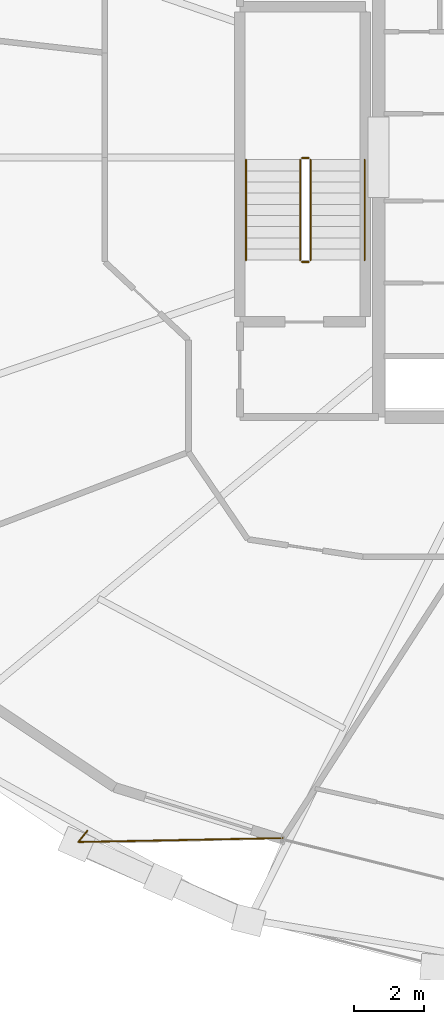
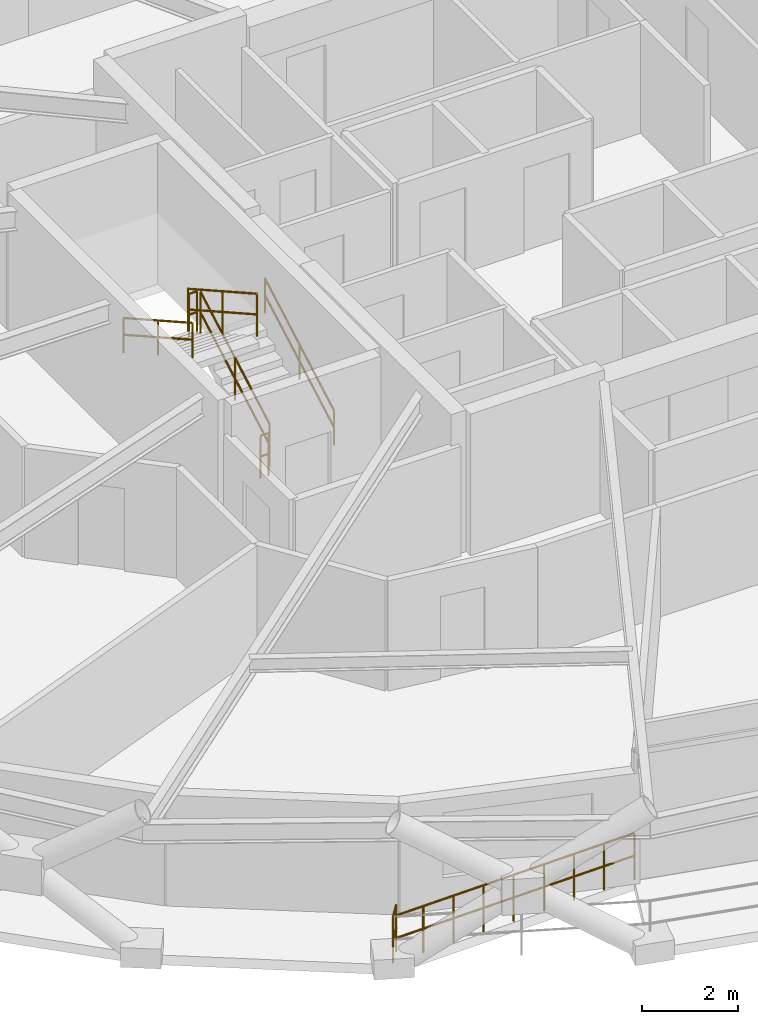
# One storey, part 18 of 20: 7 railings.
"""IFC4 building model written with IfcOpenShell, lengths in metres."""

from ifc_helpers import new_model, si_unit, direction, frame, origin, origin_2d, place, context, subcontext, project, spatial, circle, extrude, material, type_object, element, save


model = new_model("IFC4")

# Units and contexts
model_context = context("Model", 3, precision=1e-05, world=origin(), true_north=direction((0.0, 1.0)))
body_context = subcontext(model_context, "Body", "Model", "MODEL_VIEW")
ifc_project = project(units=[si_unit("LENGTHUNIT", "METRE"), si_unit("AREAUNIT", "SQUARE_METRE"), si_unit("VOLUMEUNIT", "CUBIC_METRE"), si_unit("PLANEANGLEUNIT", "RADIAN"), si_unit("MASSUNIT", "GRAM", prefix="KILO")], contexts=[model_context])

# Site, building, storey
site_placement = place(None, origin())
site = spatial("IfcSite", under=ifc_project, at=site_placement, CompositionType="ELEMENT")
building_placement = place(site_placement, origin())
building = spatial("IfcBuilding", under=site, at=building_placement, Name="Veldorina Hangang Commons", CompositionType="ELEMENT")
storey_placement = place(building_placement, frame((0.0, 0.0, 131.60009765625)))
storey = spatial("IfcBuildingStorey", under=building, at=storey_placement, Name="L33", CompositionType="ELEMENT", Elevation=131.60009765625)

# Railings
ifc_material_1 = material(Name="Glass Laminated Safety Balustrade", Category="glass")
railing_type_1 = type_object("IfcRailingType", Name="RL-BAL-LOGGIA", PredefinedType="BALUSTRADE", material=ifc_material_1)
railing_1_placement = place(storey_placement, frame((16.45556640625, 4.69970703125, 0.0)))
element("IfcRailing", 1, at=railing_1_placement, inside=storey, type_object=railing_type_1, Name="L33 sky-garden loggia end balustrade A", PredefinedType="BALUSTRADE", context=body_context, shape_type="SweptSolid", body=[
    extrude(circle(Radius=0.02392578125, at=origin_2d()), frame((0.0, 0.0, 1.17578125), z_axis=(-0.627172855925, -0.77888009911, 0.0), x_axis=(0.77888009911, -0.627172855925, 0.0)), (0.0, 0.0, 1.0), 0.419921875),
    extrude(circle(Radius=0.02392578125, at=origin_2d()), frame((0.0, 0.0, 0.60009765625), z_axis=(-0.627172855925, -0.77888009911, 0.0), x_axis=(0.77888009911, -0.627172855925, 0.0)), (0.0, 0.0, 1.0), 0.419921875),
    extrude(circle(Radius=0.02392578125, at=origin_2d()), frame((-0.263427734375, -0.3271484375, 1.17578125), z_axis=(0.999813660583, 0.019303992115, 0.0), x_axis=(-0.019303992115, 0.999813660583, 0.0)), (0.0, 0.0, 1.0), 5.8681640625),
    extrude(circle(Radius=0.02392578125, at=origin_2d()), frame((-0.263427734375, -0.3271484375, 0.60009765625), z_axis=(0.999813660583, 0.019303992115, 0.0), x_axis=(-0.019303992115, 0.999813660583, 0.0)), (0.0, 0.0, 1.0), 5.8681640625),
    extrude(circle(Radius=0.02099609375, at=origin_2d()), origin(), (0.0, 0.0, 1.0), 1.15185546875),
    extrude(circle(Radius=0.02099609375, at=origin_2d()), frame((-0.263427734375, -0.3271484375, 0.0)), (0.0, 0.0, 1.0), 1.15185546875),
    extrude(circle(Radius=0.02099609375, at=origin_2d()), frame((0.469970703125, -0.31298828125, 0.0)), (0.0, 0.0, 1.0), 1.15185546875),
    extrude(circle(Radius=0.02099609375, at=origin_2d()), frame((1.203369140625, -0.298828125, 0.0)), (0.0, 0.0, 1.0), 1.15185546875),
    extrude(circle(Radius=0.02099609375, at=origin_2d()), frame((1.936767578125, -0.28466796875, 0.0)), (0.0, 0.0, 1.0), 1.15185546875),
    extrude(circle(Radius=0.02099609375, at=origin_2d()), frame((2.670166015625, -0.2705078125, 0.0)), (0.0, 0.0, 1.0), 1.15185546875),
    extrude(circle(Radius=0.02099609375, at=origin_2d()), frame((3.403564453125, -0.25634765625, 0.0)), (0.0, 0.0, 1.0), 1.15185546875),
    extrude(circle(Radius=0.02099609375, at=origin_2d()), frame((4.136962890625, -0.2421875, 0.0)), (0.0, 0.0, 1.0), 1.15185546875),
    extrude(circle(Radius=0.02099609375, at=origin_2d()), frame((4.870361328125, -0.22802734375, 0.0)), (0.0, 0.0, 1.0), 1.15185546875),
    extrude(circle(Radius=0.02099609375, at=origin_2d()), frame((5.603759765625, -0.2138671875, 0.0)), (0.0, 0.0, 1.0), 1.15185546875),
])
ifc_material_2 = material(Name="Steel Painted Balustrade", Category="steel")
railing_type_2 = type_object("IfcRailingType", Name="RL-GRD-STAIR", PredefinedType="GUARDRAIL", material=ifc_material_2)
railing_2_placement = place(storey_placement, frame((22.85009765625, 21.050048828125, 0.179931640625)))
element("IfcRailing", 2, at=railing_2_placement, inside=storey, type_object=railing_type_2, Name="L33 ST-1 stair guard 1", PredefinedType="GUARDRAIL", context=body_context, shape_type="SweptSolid", body=[
    extrude(circle(Radius=0.02392578125, at=origin_2d()), frame((0.0, 0.0, 1.076171875), z_axis=(0.0, 0.871583430097, 0.490247207417), x_axis=(-1.0, 0.0, 0.0)), (0.0, 0.0, 1.0), 3.30419921875),
    extrude(circle(Radius=0.02392578125, at=origin_2d()), frame((0.0, 0.0, 0.550048828125), z_axis=(0.0, 0.871583430097, 0.490247207417), x_axis=(-1.0, 0.0, 0.0)), (0.0, 0.0, 1.0), 3.30419921875),
    extrude(circle(Radius=0.02099609375, at=origin_2d()), origin(), (0.0, 0.0, 1.0), 1.052001953125),
    extrude(circle(Radius=0.02099609375, at=origin_2d()), frame((0.0, 1.43994140625, 0.81005859375)), (0.0, 0.0, 1.0), 1.052001953125),
    extrude(circle(Radius=0.02099609375, at=origin_2d()), frame((0.0, 2.8798828125, 1.619873046875)), (0.0, 0.0, 1.0), 1.052001953125),
])
railing_3_placement = place(storey_placement, frame((22.800048828125, 23.97998046875, 1.7998046875)))
element("IfcRailing", 3, at=railing_3_placement, inside=storey, type_object=railing_type_2, Name="L33 ST-1 stair guard 2", PredefinedType="GUARDRAIL", context=body_context, shape_type="SweptSolid", body=[
    extrude(circle(Radius=0.02392578125, at=origin_2d()), frame((0.0, 0.0, 1.076171875), z_axis=(-1.0, 0.0, 0.0), x_axis=(0.0, -1.0, 0.0)), (0.0, 0.0, 1.0), 0.199951171875),
    extrude(circle(Radius=0.02392578125, at=origin_2d()), frame((0.0, 0.0, 0.550048828125), z_axis=(-1.0, 0.0, 0.0), x_axis=(0.0, -1.0, 0.0)), (0.0, 0.0, 1.0), 0.199951171875),
    extrude(circle(Radius=0.02099609375, at=origin_2d()), origin(), (0.0, 0.0, 1.0), 1.052001953125),
    extrude(circle(Radius=0.02099609375, at=origin_2d()), frame((-0.199951171875, 0.0, 0.0)), (0.0, 0.0, 1.0), 1.052001953125),
])
railing_4_placement = place(storey_placement, frame((22.550048828125, 23.929931640625, 1.97998046875)))
element("IfcRailing", 4, at=railing_4_placement, inside=storey, type_object=railing_type_2, Name="L33 ST-1 stair guard 3", PredefinedType="GUARDRAIL", context=body_context, shape_type="SweptSolid", body=[
    extrude(circle(Radius=0.02392578125, at=origin_2d()), frame((0.0, 0.0, 1.076171875), z_axis=(0.0, -0.871583430097, 0.490247207417), x_axis=(1.0, 0.0, 0.0)), (0.0, 0.0, 1.0), 3.30419921875),
    extrude(circle(Radius=0.02392578125, at=origin_2d()), frame((0.0, 0.0, 0.550048828125), z_axis=(0.0, -0.871583430097, 0.490247207417), x_axis=(1.0, 0.0, 0.0)), (0.0, 0.0, 1.0), 3.30419921875),
    extrude(circle(Radius=0.02099609375, at=origin_2d()), origin(), (0.0, 0.0, 1.0), 1.052001953125),
    extrude(circle(Radius=0.02099609375, at=origin_2d()), frame((0.0, -1.43994140625, 0.81005859375)), (0.0, 0.0, 1.0), 1.052001953125),
    extrude(circle(Radius=0.02099609375, at=origin_2d()), frame((0.0, -2.8798828125, 1.619873046875)), (0.0, 0.0, 1.0), 1.052001953125),
])
railing_5_placement = place(storey_placement, frame((22.800048828125, 21.0, 0.0)))
element("IfcRailing", 5, at=railing_5_placement, inside=storey, type_object=railing_type_2, Name="L33 ST-1 stair guard 4", PredefinedType="GUARDRAIL", context=body_context, shape_type="SweptSolid", body=[
    extrude(circle(Radius=0.02392578125, at=origin_2d()), frame((0.0, 0.0, 1.076171875), z_axis=(-1.0, 0.0, 0.0), x_axis=(0.0, -1.0, 0.0)), (0.0, 0.0, 1.0), 0.199951171875),
    extrude(circle(Radius=0.02392578125, at=origin_2d()), frame((0.0, 0.0, 0.550048828125), z_axis=(-1.0, 0.0, 0.0), x_axis=(0.0, -1.0, 0.0)), (0.0, 0.0, 1.0), 0.199951171875),
    extrude(circle(Radius=0.02099609375, at=origin_2d()), origin(), (0.0, 0.0, 1.0), 1.052001953125),
    extrude(circle(Radius=0.02099609375, at=origin_2d()), frame((-0.199951171875, 0.0, 0.0)), (0.0, 0.0, 1.0), 1.052001953125),
])
ifc_material_3 = material(Name="Stainless Steel Brushed 316", Category="steel")
railing_type_3 = type_object("IfcRailingType", Name="RL-HND-STAIR", PredefinedType="HANDRAIL", material=ifc_material_3)
railing_6_placement = place(storey_placement, frame((24.39990234375, 21.050048828125, 0.179931640625)))
element("IfcRailing", 6, at=railing_6_placement, inside=storey, type_object=railing_type_3, Name="L33 ST-1 stair handrail 1", PredefinedType="HANDRAIL", context=body_context, shape_type="SweptSolid", body=[
    extrude(circle(Radius=0.02392578125, at=origin_2d()), frame((0.0, 0.0, 0.8759765625), z_axis=(0.0, 0.871583430097, 0.490247207417), x_axis=(-1.0, 0.0, 0.0)), (0.0, 0.0, 1.0), 3.30419921875),
    extrude(circle(Radius=0.02392578125, at=origin_2d()), frame((0.0, 0.0, 0.449951171875), z_axis=(0.0, 0.871583430097, 0.490247207417), x_axis=(-1.0, 0.0, 0.0)), (0.0, 0.0, 1.0), 3.30419921875),
    extrude(circle(Radius=0.02099609375, at=origin_2d()), origin(), (0.0, 0.0, 1.0), 0.851806640625),
    extrude(circle(Radius=0.02099609375, at=origin_2d()), frame((0.0, 1.43994140625, 0.81005859375)), (0.0, 0.0, 1.0), 0.851806640625),
    extrude(circle(Radius=0.02099609375, at=origin_2d()), frame((0.0, 2.8798828125, 1.619873046875)), (0.0, 0.0, 1.0), 0.851806640625),
])
railing_7_placement = place(storey_placement, frame((21.0, 23.929931640625, 1.97998046875)))
element("IfcRailing", 7, at=railing_7_placement, inside=storey, type_object=railing_type_3, Name="L33 ST-1 stair handrail 2", PredefinedType="HANDRAIL", context=body_context, shape_type="SweptSolid", body=[
    extrude(circle(Radius=0.02392578125, at=origin_2d()), frame((0.0, 0.0, 0.8759765625), z_axis=(0.0, -0.871583430097, 0.490247207417), x_axis=(1.0, 0.0, 0.0)), (0.0, 0.0, 1.0), 3.30419921875),
    extrude(circle(Radius=0.02392578125, at=origin_2d()), frame((0.0, 0.0, 0.449951171875), z_axis=(0.0, -0.871583430097, 0.490247207417), x_axis=(1.0, 0.0, 0.0)), (0.0, 0.0, 1.0), 3.30419921875),
    extrude(circle(Radius=0.02099609375, at=origin_2d()), origin(), (0.0, 0.0, 1.0), 0.851806640625),
    extrude(circle(Radius=0.02099609375, at=origin_2d()), frame((0.0, -1.43994140625, 0.81005859375)), (0.0, 0.0, 1.0), 0.851806640625),
    extrude(circle(Radius=0.02099609375, at=origin_2d()), frame((0.0, -2.8798828125, 1.619873046875)), (0.0, 0.0, 1.0), 0.851806640625),
])

save(model, "model.ifc")
